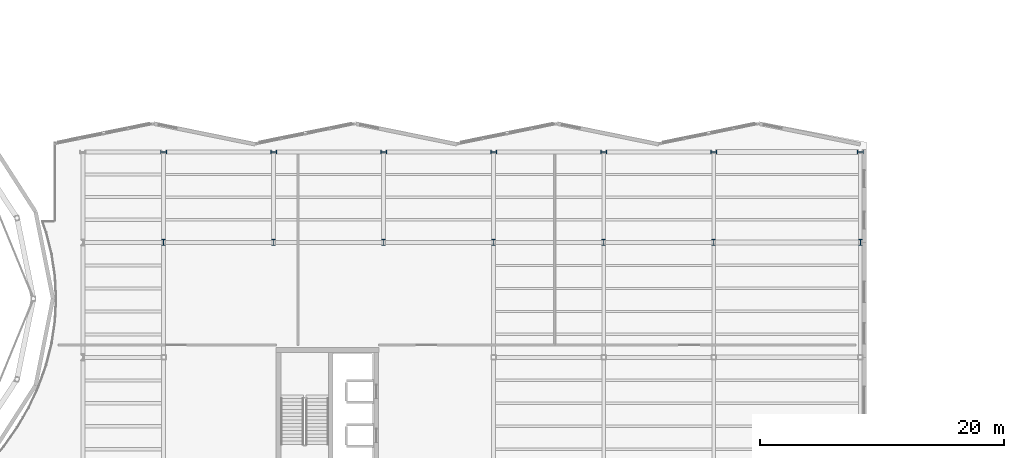
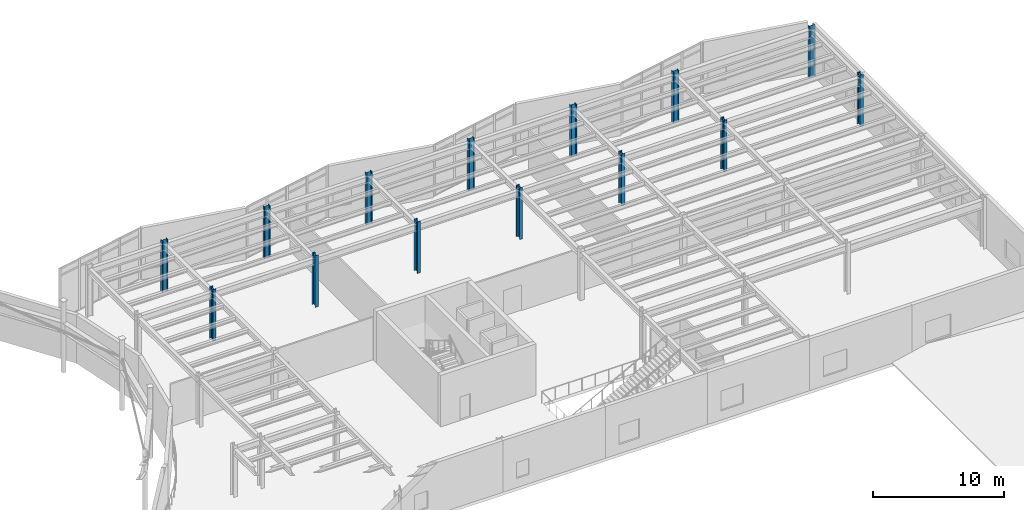
# One storey, part 13 of 91: 14 columns.
"""IFC4 building model written with IfcOpenShell, lengths in metres."""

import ifcopenshell
import ifcopenshell.guid

model = None  # the IFC model being written
_history = None  # IfcOwnerHistory: only IFC2X3 demands one
_inside = {}  # id of a spatial element -> (the spatial element, [elements in it])
_under = {}  # id of a project, library or spatial element -> (it, [spatial elements below it])
_declared = {}  # id of a project -> (the project, [libraries it declares])
_typed = {}  # id of a type object -> (the type object, [elements of that type])
_made_of = {}  # id of a material, layer set ... -> (it, [elements and type objects made of it])


def new_model(schema):
    """Start an empty IFC model of exactly this schema.

    Asked for "IFC4X3", IfcOpenShell would pick the latest addendum, in which some entities
    have other attributes; the version numbers below select the first issue.
    IFC2X3 requires an IfcOwnerHistory on every rooted entity: one is made here for all.
    """
    global model, _history
    if schema == "IFC4X3":
        model = ifcopenshell.file(schema_version=(4, 3, 0, 0))
    else:
        model = ifcopenshell.file(schema=schema)
    _inside.clear()
    _under.clear()
    _declared.clear()
    _typed.clear()
    _made_of.clear()
    _history = None
    if model.schema == "IFC2X3":
        org = make("IfcOrganization", Name="unknown")
        user = make(
            "IfcPersonAndOrganization",
            ThePerson=make("IfcPerson", FamilyName="unknown"),
            TheOrganization=org,
        )
        app = make(
            "IfcApplication",
            ApplicationDeveloper=org,
            Version="unknown",
            ApplicationFullName="unknown",
            ApplicationIdentifier="unknown",
        )
        _history = make(
            "IfcOwnerHistory",
            OwningUser=user,
            OwningApplication=app,
            ChangeAction="ADDED",
            CreationDate=0,
        )
    return model


def make(cls, **values):
    """One entity of the class cls with the attributes given. An attribute that is None is left unset."""
    return model.create_entity(
        cls, **{name: value for name, value in values.items() if value is not None}
    )


def rooted(cls, **values):
    """An entity with a GlobalId (a new one), such as an element, a storey or a relation."""
    return make(cls, GlobalId=ifcopenshell.guid.new(), OwnerHistory=_history, **values)


def si_unit(unit_type, name, prefix=None):
    """IfcSIUnit, for example si_unit("LENGTHUNIT", "METRE", prefix="MILLI")."""
    return make("IfcSIUnit", UnitType=unit_type, Prefix=prefix, Name=name)


def assignment(units):
    """IfcUnitAssignment: the units of a project."""
    return None if units is None else make("IfcUnitAssignment", Units=units)


def point(xyz):
    """IfcCartesianPoint."""
    return None if xyz is None else make("IfcCartesianPoint", Coordinates=xyz)


def direction(xyz):
    """IfcDirection."""
    return None if xyz is None else make("IfcDirection", DirectionRatios=xyz)


def frame(location, z_axis=None, x_axis=None):
    """IfcAxis2Placement3D, a coordinate frame: its origin and axes. An axis left out is left unset."""
    return make(
        "IfcAxis2Placement3D",
        Location=point(location),
        Axis=direction(z_axis),
        RefDirection=direction(x_axis),
    )


def frame_2d(location, x_axis=None):
    """IfcAxis2Placement2D, a coordinate frame in the plane: its origin and x axis."""
    return make(
        "IfcAxis2Placement2D", Location=point(location), RefDirection=direction(x_axis)
    )


def origin():
    """The frame at (0, 0, 0) with its axes left unset."""
    return frame((0.0, 0.0, 0.0))


def origin_2d():
    """The frame at (0, 0) in the plane with its x axis left unset."""
    return frame_2d((0.0, 0.0))


def place(relative_to, where):
    """IfcLocalPlacement: puts the frame where relative to a parent placement (None: the world)."""
    return make(
        "IfcLocalPlacement", PlacementRelTo=relative_to, RelativePlacement=where
    )


def context(
    kind, dimensions, precision=None, world=None, true_north=None, identifier=None
):
    """IfcGeometricRepresentationContext, for example the 3D "Model" context."""
    return make(
        "IfcGeometricRepresentationContext",
        ContextIdentifier=identifier,
        ContextType=kind,
        CoordinateSpaceDimension=dimensions,
        Precision=precision,
        WorldCoordinateSystem=world,
        TrueNorth=true_north,
    )


def subcontext(parent, identifier, kind, view, scale=None):
    """IfcGeometricRepresentationSubContext, for example "Body" below "Model"."""
    return make(
        "IfcGeometricRepresentationSubContext",
        ContextIdentifier=identifier,
        ContextType=kind,
        ParentContext=parent,
        TargetScale=scale,
        TargetView=view,
    )


def project(units=None, contexts=None):
    """IfcProject with its units and contexts."""
    return rooted(
        "IfcProject",
        Name="project",
        RepresentationContexts=contexts,
        UnitsInContext=assignment(units),
    )


def spatial(cls, under=None, at=None, **own):
    """A site, building, storey or space (cls), placed at a placement, below another one or the project."""
    s = rooted(cls, ObjectPlacement=at, **own)
    if under is not None:
        _under.setdefault(under.id(), (under, []))[1].append(s)
    return s


def profile(cls, at=None, kind="AREA", **sizes):
    """A parametric profile (cls). Its sizes go by their IFC names, for example OverallWidth=200.0."""
    return make(cls, ProfileType=kind, Position=at, **sizes)


def i_section(**sizes):
    """IfcIShapeProfileDef."""
    return profile("IfcIShapeProfileDef", **sizes)


def extrude(swept, where, along, depth):
    """IfcExtrudedAreaSolid: the profile swept, set in the frame where, extruded along a direction by depth."""
    return make(
        "IfcExtrudedAreaSolid",
        SweptArea=swept,
        Position=where,
        ExtrudedDirection=direction(along),
        Depth=depth,
    )


def shape(context_of_items, identifier, shape_type, items):
    """IfcShapeRepresentation: the items that make up one representation, for example the "Body"."""
    return make(
        "IfcShapeRepresentation",
        ContextOfItems=context_of_items,
        RepresentationIdentifier=identifier,
        RepresentationType=shape_type,
        Items=items,
    )


def material(Name=None, Category=None):
    """IfcMaterial."""
    return make("IfcMaterial", Name=Name, Category=Category)


def material_profile(
    of_material, cross_section, Name=None, Category=None, Priority=None
):
    """IfcMaterialProfile: a cross section and its material."""
    return make(
        "IfcMaterialProfile",
        Name=Name,
        Material=of_material,
        Profile=cross_section,
        Priority=Priority,
        Category=Category,
    )


def profile_set(profiles, Name=None, composite=None):
    """IfcMaterialProfileSet."""
    return make(
        "IfcMaterialProfileSet",
        Name=Name,
        MaterialProfiles=profiles,
        CompositeProfile=composite,
    )


def made_of(thing, what):
    """Note that an element or type object is made of a material, layer set ...; save() writes the relation."""
    if what is not None:
        _made_of.setdefault(what.id(), (what, []))[1].append(thing)
    return thing


def type_object(cls, material=None, **own):
    """A type object (cls), such as IfcWallType, which elements share."""
    return made_of(rooted(cls, **own), material)


def element(
    cls,
    number,
    at=None,
    inside=None,
    cuts=None,
    type_object=None,
    material=None,
    context=None,
    identifier="Body",
    shape_type=None,
    held_by="IfcProductDefinitionShape",
    body=None,
    shapes=None,
    **own,
):
    """One element of the class cls, such as IfcWall. Its Tag is "e" and its number.

    at: its placement. inside: the storey or other place that contains it. cuts: it is an
    opening in that element (IfcRelVoidsElement). A single representation is given by context,
    identifier, shape_type and body (its items); several are given by shapes. held_by: the class
    of the entity that holds the representations. save() writes the other relations.
    """
    e = rooted(cls, Tag="e%d" % number, ObjectPlacement=at, **own)
    if body is not None:
        shapes = [shape(context, identifier, shape_type, body)]
    if shapes is not None:
        e.Representation = make(held_by, Representations=shapes)
    if inside is not None:
        _inside.setdefault(inside.id(), (inside, []))[1].append(e)
    if cuts is not None:
        rooted(
            "IfcRelVoidsElement", RelatingBuildingElement=cuts, RelatedOpeningElement=e
        )
    if type_object is not None:
        _typed.setdefault(type_object.id(), (type_object, []))[1].append(e)
    return made_of(e, material)


def aggregate(whole, parts):
    """IfcRelAggregates: a whole, such as a stair, and the parts it consists of."""
    return rooted("IfcRelAggregates", RelatingObject=whole, RelatedObjects=parts)


def save(model, path):
    """Write the relations noted so far, then the file.

    IfcRelAggregates (storeys below a building ...), IfcRelContainedInSpatialStructure (elements
    in a storey), IfcRelDefinesByType, IfcRelAssociatesMaterial and IfcRelDeclares: one each for
    every whole, place, type object, material and project.
    """
    for whole, parts in _under.values():
        aggregate(whole, parts)
    for where, things in _inside.values():
        rooted(
            "IfcRelContainedInSpatialStructure",
            RelatedElements=things,
            RelatingStructure=where,
        )
    for kind, things in _typed.values():
        rooted("IfcRelDefinesByType", RelatedObjects=things, RelatingType=kind)
    for what, things in _made_of.values():
        rooted("IfcRelAssociatesMaterial", RelatedObjects=things, RelatingMaterial=what)
    for by, libraries in _declared.values():
        rooted("IfcRelDeclares", RelatingContext=by, RelatedDefinitions=libraries)
    model.write(path)


model = new_model("IFC4")

# Units and contexts
model_context = context("Model", 3, precision=1e-05, world=origin(), true_north=direction((0.0, 1.0)))
body_context = subcontext(model_context, "Body", "Model", "MODEL_VIEW")
ifc_project = project(units=[si_unit("LENGTHUNIT", "METRE"), si_unit("AREAUNIT", "SQUARE_METRE"), si_unit("VOLUMEUNIT", "CUBIC_METRE"), si_unit("PLANEANGLEUNIT", "RADIAN"), si_unit("MASSUNIT", "GRAM", prefix="KILO")], contexts=[model_context])

# Site, building, storey
site_placement = place(None, origin())
site = spatial("IfcSite", under=ifc_project, at=site_placement, CompositionType="ELEMENT")
building_placement = place(site_placement, origin())
building = spatial("IfcBuilding", under=site, at=building_placement, Name="Sollismere Congress Hotel", CompositionType="ELEMENT")
storey_placement = place(building_placement, frame((0.0, 0.0, 10.800048828125)))
storey = spatial("IfcBuildingStorey", under=building, at=storey_placement, Name="L02", CompositionType="ELEMENT", Elevation=10.800048828125)

# Columns
ifc_material = material(Name="Steel ASTM A992 Grade 50", Category="steel")
ifc_material_profile = material_profile(ifc_material, i_section(OverallWidth=0.283935546875, OverallDepth=0.4951171875, WebThickness=0.0185546875, FlangeThickness=0.033447265625, at=origin_2d()), Name="W18X143")
ifc_profile_set = profile_set([ifc_material_profile], Name="Steel ASTM A992 Grade 50")
column_type = type_object("IfcColumnType", Name="COL-W18", PredefinedType="COLUMN", material=ifc_profile_set)
for number, where, z_axis, x_axis, name in (
    (1, (67.0, 95.0, 0.0), (0.0, 0.0, 1.0), (1.0, 0.0, 0.0), "Column CL-L02-335"),
    (2, (76.0, 95.0, 0.0), (0.0, 0.0, 1.0), (1.0, 0.0, 0.0), "Column CL-L02-387"),
    (3, (85.0, 95.0, 0.0), (0.0, 0.0, 1.0), (1.0, 0.0, 0.0), "Column CL-L02-446"),
    (4, (94.0, 95.0, 0.0), (0.0, 0.0, 1.0), (1.0, 0.0, 0.0), "Column CL-L02-504"),
    (5, (103.0, 95.0, 0.0), (0.0, 0.0, 1.0), (1.0, 0.0, 0.0), "Column CL-L02-562"),
    (6, (112.0, 95.0, 0.0), (0.0, 0.0, 1.0), (1.0, 0.0, 0.0), "Column CL-L02-640"),
    (7, (124.0, 95.0, 0.0), (0.0, 0.0, 1.0), (1.0, 0.0, 0.0), "Column CL-L02-722"),
    (8, (67.0, 102.39990234375, 0.0), (0.0, 0.0, 1.0), (0.0, 1.0, 0.0), "Column CL-L02-1090"),
    (9, (76.0, 102.39990234375, 0.0), (0.0, 0.0, 1.0), (0.0, 1.0, 0.0), "Column CL-L02-1096"),
    (10, (85.0, 102.39990234375, 0.0), (0.0, 0.0, 1.0), (0.0, 1.0, 0.0), "Column CL-L02-1102"),
    (11, (94.0, 102.39990234375, 0.0), (0.0, 0.0, 1.0), (0.0, 1.0, 0.0), "Column CL-L02-1108"),
    (12, (103.0, 102.39990234375, 0.0), (0.0, 0.0, 1.0), (0.0, 1.0, 0.0), "Column CL-L02-1114"),
    (13, (112.0, 102.39990234375, 0.0), (0.0, 0.0, 1.0), (0.0, 1.0, 0.0), "Column CL-L02-1120"),
    (14, (124.0, 102.39990234375, 0.0), (0.0, 0.0, 1.0), (0.0, 1.0, 0.0), "Column CL-L02-1126"),
):
    element("IfcColumn", number, at=place(storey_placement, frame(where, z_axis=z_axis, x_axis=x_axis)), inside=storey, type_object=column_type, Name=name, PredefinedType="COLUMN", context=body_context, shape_type="SweptSolid", body=[
        extrude(i_section(OverallWidth=0.283935546875, OverallDepth=0.4951171875, WebThickness=0.0185546875, FlangeThickness=0.033447265625, at=origin_2d()), origin(), (0.0, 0.0, 1.0), 4.800048828125),
    ])

save(model, "model.ifc")
